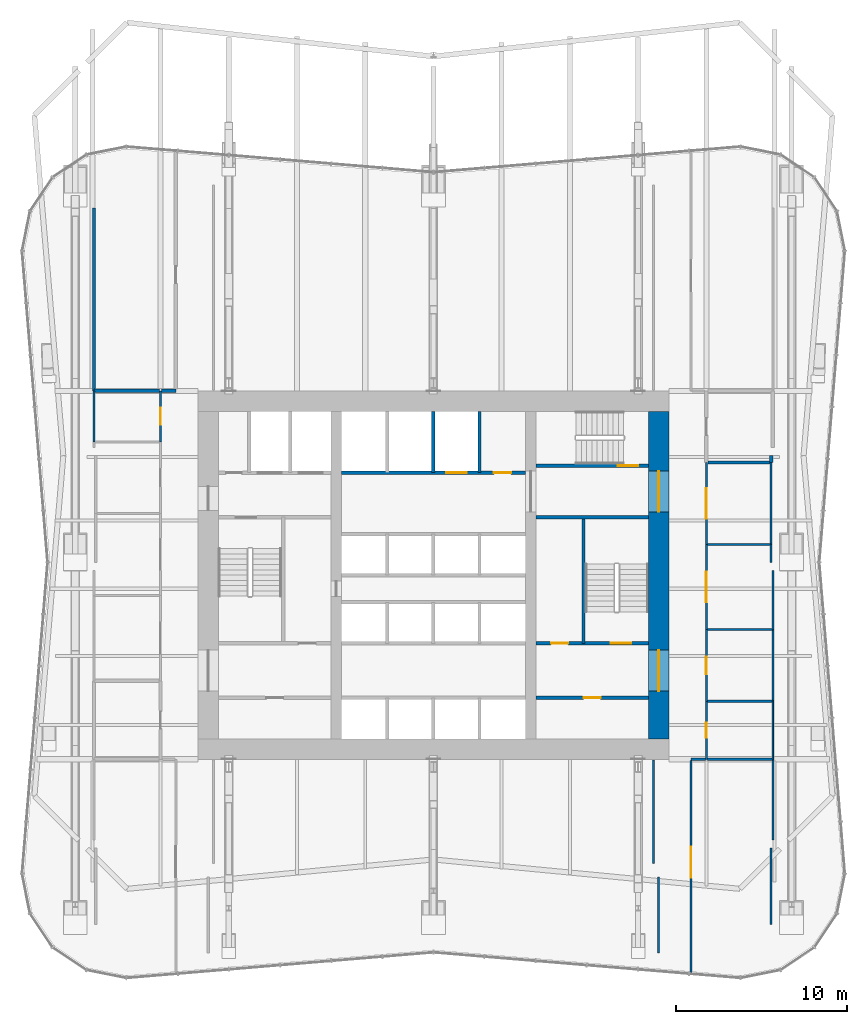
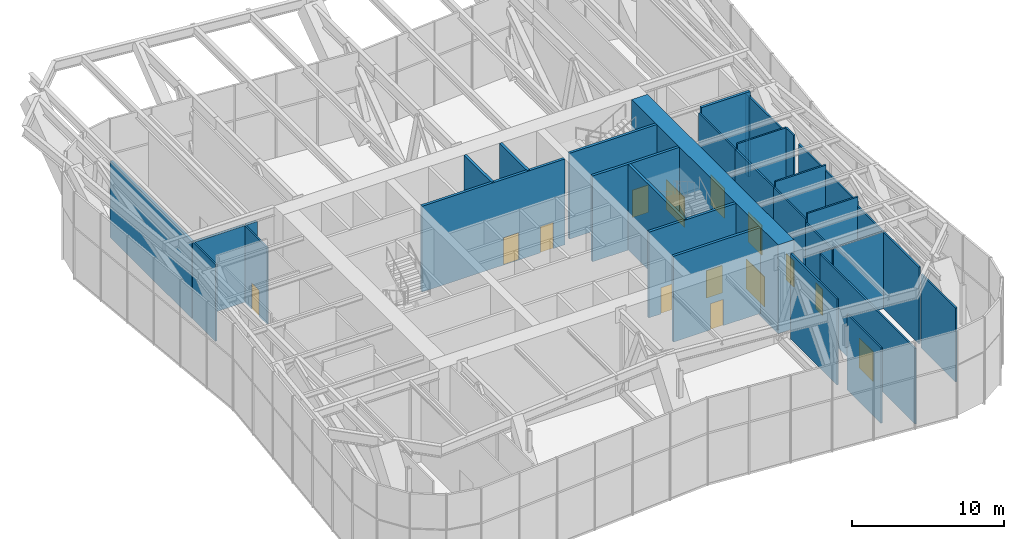
# One storey, part 13 of 17: 35 walls, 14 doors, 14 openings.
"""IFC4 building model written with IfcOpenShell, lengths in metres."""

from ifc_helpers import new_model, si_unit, direction, frame, frame_2d, origin, place, context, subcontext, project, spatial, rectangle, extrude, material, layer, layer_set, type_object, element, fill, save


model = new_model("IFC4")

# Units and contexts
model_context = context("Model", 3, precision=1e-05, world=origin(), true_north=direction((0.0, 1.0)))
body_context = subcontext(model_context, "Body", "Model", "MODEL_VIEW")
ifc_project = project(units=[si_unit("LENGTHUNIT", "METRE"), si_unit("AREAUNIT", "SQUARE_METRE"), si_unit("VOLUMEUNIT", "CUBIC_METRE"), si_unit("PLANEANGLEUNIT", "RADIAN"), si_unit("MASSUNIT", "GRAM", prefix="KILO")], contexts=[model_context])

# Site, building, storey
site_placement = place(None, origin())
site = spatial("IfcSite", under=ifc_project, at=site_placement, CompositionType="ELEMENT")
building_placement = place(site_placement, origin())
building = spatial("IfcBuilding", under=site, at=building_placement, Name="Verdant Reach Tower", CompositionType="ELEMENT")
storey_placement = place(building_placement, frame((0.0, 0.0, 114.0)))
storey = spatial("IfcBuildingStorey", under=building, at=storey_placement, Name="L26 Plant", CompositionType="ELEMENT", Elevation=114.0)

# Wall, opening, door
ifc_material_1 = material(Name="Gypsum board on steel studs", Category="steel")
ifc_layer_1 = layer(ifc_material_1, 0.199951171875)
ifc_layer_set_1 = layer_set([ifc_layer_1], Name="CO-WALL-ROOM")
wall_type_1 = type_object("IfcWallType", Name="CO-WALL-ROOM", PredefinedType="PARTITIONING", material=ifc_layer_set_1)
wall_1_placement = place(storey_placement, frame((6.0, 20.800048828125, 0.0), z_axis=(0.0, 0.0, 1.0), x_axis=(1.0, 0.0, 0.0)))
wall_1 = element("IfcWall", 1, at=wall_1_placement, inside=storey, type_object=wall_type_1, Name="Core partition, L26 Plant", PredefinedType="PARTITIONING", context=body_context, shape_type="SweptSolid", body=[
    extrude(rectangle(XDim=6.60009765625, YDim=0.199951171875, at=frame_2d((3.300048828125, 0.0))), origin(), (0.0, 0.0, 1.0), 6.8701171875),
])
opening_1_placement = place(wall_1_placement, frame((2.800048828125, 0.0, 0.0)))
opening_1 = element("IfcOpeningElement", 2, at=opening_1_placement, cuts=wall_1, Name="Opening CD", PredefinedType="OPENING", context=body_context, shape_type="SweptSolid", body=[
    extrude(rectangle(XDim=1.0, YDim=2.10009765625, at=frame_2d((0.5, 1.050048828125))), frame((0.0, 0.10986328125, 0.0), z_axis=(0.0, -1.0, 0.0), x_axis=(1.0, 0.0, 0.0)), (0.0, 0.0, 1.0), 0.219970703125),
])
ifc_material_2 = material(Name="Timber", Category="wood")
door_type_1 = type_object("IfcDoorType", Name="CO-DOOR-ROOM", OperationType="NOTDEFINED", PredefinedType="DOOR", material=ifc_material_2)
door_1_placement = place(opening_1_placement, origin())
door_1 = element("IfcDoor", 3, at=door_1_placement, inside=storey, type_object=door_type_1, Name="Core room door, L26 Plant", OperationType="SINGLE_SWING_RIGHT", OverallHeight=2.10009765625, OverallWidth=1.0, PredefinedType="DOOR", context=body_context, shape_type="SweptSolid", body=[
    extrude(rectangle(XDim=1.0, YDim=2.10009765625, at=frame_2d((0.5, 1.050048828125))), frame((0.0, 0.02490234375, 0.0), z_axis=(0.0, -1.0, 0.0), x_axis=(1.0, 0.0, 0.0)), (0.0, 0.0, 1.0), 0.050048828125),
])
fill(opening_1, door_1)

# Wall, openings, doors
ifc_material_3 = material(Name="Concrete C40/50", Category="concrete")
ifc_layer_2 = layer(ifc_material_3, 0.199951171875)
ifc_layer_set_2 = layer_set([ifc_layer_2], Name="CO-WALL-SHAFT")
wall_type_2 = type_object("IfcWallType", Name="CO-WALL-SHAFT", PredefinedType="PARTITIONING", material=ifc_layer_set_2)
wall_2_placement = place(storey_placement, frame((-5.39990234375, 34.0, 0.0), z_axis=(0.0, 0.0, 1.0), x_axis=(1.0, 0.0, 0.0)))
wall_2 = element("IfcWall", 4, at=wall_2_placement, inside=storey, type_object=wall_type_2, Name="Lift shaft wall, L26 Plant", PredefinedType="PARTITIONING", context=body_context, shape_type="SweptSolid", body=[
    extrude(rectangle(XDim=10.7998046875, YDim=0.199951171875, at=frame_2d((5.39990234375, 0.0))), origin(), (0.0, 0.0, 1.0), 6.8701171875),
])
opening_2_placement = place(wall_2_placement, frame((6.14990234375, 0.0, 0.0)))
opening_2 = element("IfcOpeningElement", 5, at=opening_2_placement, cuts=wall_2, Name="Opening LD-SL1", PredefinedType="OPENING", context=body_context, shape_type="SweptSolid", body=[
    extrude(rectangle(XDim=1.199951171875, YDim=2.199951171875, at=frame_2d((0.60009765625, 1.10009765625))), frame((0.0, 0.10986328125, 0.0), z_axis=(0.0, -1.0, 0.0), x_axis=(1.0, 0.0, 0.0)), (0.0, 0.0, 1.0), 0.219970703125),
])
opening_3_placement = place(wall_2_placement, frame((8.949951171875, 0.0, 0.0)))
opening_3 = element("IfcOpeningElement", 6, at=opening_3_placement, cuts=wall_2, Name="Opening CD", PredefinedType="OPENING", context=body_context, shape_type="SweptSolid", body=[
    extrude(rectangle(XDim=1.0, YDim=2.10009765625, at=frame_2d((0.5, 1.050048828125))), frame((0.0, 0.10986328125, 0.0), z_axis=(0.0, -1.0, 0.0), x_axis=(1.0, 0.0, 0.0)), (0.0, 0.0, 1.0), 0.219970703125),
])
ifc_material_4 = material(Name="Stainless steel", Category="steel")
door_type_2 = type_object("IfcDoorType", Name="CO-DOOR-LANDING", OperationType="SLIDING_TO_LEFT", PredefinedType="DOOR", material=ifc_material_4)
door_2_placement = place(opening_2_placement, origin())
door_2 = element("IfcDoor", 7, at=door_2_placement, inside=storey, type_object=door_type_2, Name="Landing door SL1, L26 Plant", OperationType="SLIDING_TO_LEFT", OverallHeight=2.199951171875, OverallWidth=1.199951171875, PredefinedType="DOOR", context=body_context, shape_type="SweptSolid", body=[
    extrude(rectangle(XDim=1.199951171875, YDim=2.199951171875, at=frame_2d((0.60009765625, 1.10009765625))), frame((0.0, 0.02490234375, 0.0), z_axis=(0.0, -1.0, 0.0), x_axis=(1.0, 0.0, 0.0)), (0.0, 0.0, 1.0), 0.050048828125),
])
fill(opening_2, door_2)
door_3_placement = place(opening_3_placement, origin())
door_3 = element("IfcDoor", 8, at=door_3_placement, inside=storey, type_object=door_type_1, Name="Core room door, L26 Plant", OperationType="SINGLE_SWING_LEFT", OverallHeight=2.10009765625, OverallWidth=1.0, PredefinedType="DOOR", context=body_context, shape_type="SweptSolid", body=[
    extrude(rectangle(XDim=1.0, YDim=2.10009765625, at=frame_2d((0.5, 1.050048828125))), frame((0.0, 0.02490234375, 0.0), z_axis=(0.0, -1.0, 0.0), x_axis=(1.0, 0.0, 0.0)), (0.0, 0.0, 1.0), 0.050048828125),
])
fill(opening_3, door_3)

# Walls
for number, where, z_axis, x_axis, name in (
    (9, (0.0, 34.0, 0.0), (0.0, 0.0, 1.0), (0.0, 1.0, 0.0), "Lift shaft wall, L26 Plant"),
    (10, (2.699951171875, 34.0, 0.0), (0.0, 0.0, 1.0), (0.0, 1.0, 0.0), "Lift shaft wall, L26 Plant"),
):
    element("IfcWall", number, at=place(storey_placement, frame(where, z_axis=z_axis, x_axis=x_axis)), inside=storey, type_object=wall_type_2, Name=name, PredefinedType="PARTITIONING", context=body_context, shape_type="SweptSolid", body=[
        extrude(rectangle(XDim=3.60009765625, YDim=0.199951171875, at=frame_2d((1.800048828125, 0.0))), origin(), (0.0, 0.0, 1.0), 6.8701171875),
    ])

# Wall, openings, doors
ifc_layer_3 = layer(ifc_material_3, 0.199951171875)
ifc_layer_set_3 = layer_set([ifc_layer_3], Name="CO-WALL-STAIR")
wall_type_3 = type_object("IfcWallType", Name="CO-WALL-STAIR", PredefinedType="PARTITIONING", material=ifc_layer_set_3)
wall_3_placement = place(storey_placement, frame((6.0, 24.0, 0.0), z_axis=(0.0, 0.0, 1.0), x_axis=(1.0, 0.0, 0.0)))
wall_3 = element("IfcWall", 11, at=wall_3_placement, inside=storey, type_object=wall_type_3, Name="Stair enclosure wall, L26 Plant", PredefinedType="PARTITIONING", context=body_context, shape_type="SweptSolid", body=[
    extrude(rectangle(XDim=6.60009765625, YDim=0.199951171875, at=frame_2d((3.300048828125, 0.0))), origin(), (0.0, 0.0, 1.0), 6.8701171875),
])
opening_4_placement = place(wall_3_placement, frame((0.89990234375, 0.0, 0.0)))
opening_4 = element("IfcOpeningElement", 12, at=opening_4_placement, cuts=wall_3, Name="Opening CD", PredefinedType="OPENING", context=body_context, shape_type="SweptSolid", body=[
    extrude(rectangle(XDim=1.0, YDim=2.10009765625, at=frame_2d((0.5, 1.050048828125))), frame((0.0, 0.10986328125, 0.0), z_axis=(0.0, -1.0, 0.0), x_axis=(1.0, 0.0, 0.0)), (0.0, 0.0, 1.0), 0.219970703125),
])
opening_5_placement = place(wall_3_placement, frame((4.39990234375, 0.0, 0.0)))
opening_5 = element("IfcOpeningElement", 13, at=opening_5_placement, cuts=wall_3, Name="Opening SD", PredefinedType="OPENING", context=body_context, shape_type="SweptSolid", body=[
    extrude(rectangle(XDim=1.199951171875, YDim=2.199951171875, at=frame_2d((0.60009765625, 1.10009765625))), frame((0.0, 0.10986328125, 0.0), z_axis=(0.0, -1.0, 0.0), x_axis=(1.0, 0.0, 0.0)), (0.0, 0.0, 1.0), 0.219970703125),
])
door_4_placement = place(opening_4_placement, origin())
door_4 = element("IfcDoor", 14, at=door_4_placement, inside=storey, type_object=door_type_1, Name="Core room door, L26 Plant", OperationType="SINGLE_SWING_LEFT", OverallHeight=2.10009765625, OverallWidth=1.0, PredefinedType="DOOR", context=body_context, shape_type="SweptSolid", body=[
    extrude(rectangle(XDim=1.0, YDim=2.10009765625, at=frame_2d((0.5, 1.050048828125))), frame((0.0, 0.02490234375, 0.0), z_axis=(0.0, -1.0, 0.0), x_axis=(1.0, 0.0, 0.0)), (0.0, 0.0, 1.0), 0.050048828125),
])
fill(opening_4, door_4)
ifc_material_5 = material(Name="Steel", Category="steel")
door_type_3 = type_object("IfcDoorType", Name="CO-DOOR-STAIR", OperationType="NOTDEFINED", PredefinedType="DOOR", material=ifc_material_5)
door_5_placement = place(opening_5_placement, origin())
door_5 = element("IfcDoor", 15, at=door_5_placement, inside=storey, type_object=door_type_3, Name="Stair door, L26 Plant", OperationType="SINGLE_SWING_LEFT", OverallHeight=2.199951171875, OverallWidth=1.199951171875, PredefinedType="DOOR", context=body_context, shape_type="SweptSolid", body=[
    extrude(rectangle(XDim=1.199951171875, YDim=2.199951171875, at=frame_2d((0.60009765625, 1.10009765625))), frame((0.0, 0.02490234375, 0.0), z_axis=(0.0, -1.0, 0.0), x_axis=(1.0, 0.0, 0.0)), (0.0, 0.0, 1.0), 0.050048828125),
])
fill(opening_5, door_5)

# Wall
wall_4_placement = place(storey_placement, frame((6.0, 31.39990234375, 0.0), z_axis=(0.0, 0.0, 1.0), x_axis=(1.0, 0.0, 0.0)))
element("IfcWall", 16, at=wall_4_placement, inside=storey, type_object=wall_type_3, Name="Stair enclosure wall, L26 Plant", PredefinedType="PARTITIONING", context=body_context, shape_type="SweptSolid", body=[
    extrude(rectangle(XDim=6.60009765625, YDim=0.199951171875, at=frame_2d((3.300048828125, 0.0))), origin(), (0.0, 0.0, 1.0), 6.8701171875),
])

# Wall, opening, door
wall_5_placement = place(storey_placement, frame((6.0, 34.39990234375, 0.0), z_axis=(0.0, 0.0, 1.0), x_axis=(1.0, 0.0, 0.0)))
wall_5 = element("IfcWall", 17, at=wall_5_placement, inside=storey, type_object=wall_type_3, Name="Stair enclosure wall, L26 Plant", PredefinedType="PARTITIONING", context=body_context, shape_type="SweptSolid", body=[
    extrude(rectangle(XDim=6.60009765625, YDim=0.199951171875, at=frame_2d((3.300048828125, 0.0))), origin(), (0.0, 0.0, 1.0), 6.8701171875),
])
opening_6_placement = place(wall_5_placement, frame((4.800048828125, 0.0, 0.0)))
opening_6 = element("IfcOpeningElement", 18, at=opening_6_placement, cuts=wall_5, Name="Opening SD", PredefinedType="OPENING", context=body_context, shape_type="SweptSolid", body=[
    extrude(rectangle(XDim=1.199951171875, YDim=2.199951171875, at=frame_2d((0.60009765625, 1.10009765625))), frame((0.0, 0.10986328125, 0.0), z_axis=(0.0, -1.0, 0.0), x_axis=(1.0, 0.0, 0.0)), (0.0, 0.0, 1.0), 0.219970703125),
])
door_6_placement = place(opening_6_placement, origin())
door_6 = element("IfcDoor", 19, at=door_6_placement, inside=storey, type_object=door_type_3, Name="Stair door, L26 Plant", OperationType="SINGLE_SWING_RIGHT", OverallHeight=2.199951171875, OverallWidth=1.199951171875, PredefinedType="DOOR", context=body_context, shape_type="SweptSolid", body=[
    extrude(rectangle(XDim=1.199951171875, YDim=2.199951171875, at=frame_2d((0.60009765625, 1.10009765625))), frame((0.0, 0.02490234375, 0.0), z_axis=(0.0, -1.0, 0.0), x_axis=(1.0, 0.0, 0.0)), (0.0, 0.0, 1.0), 0.050048828125),
])
fill(opening_6, door_6)

# Wall
wall_6_placement = place(storey_placement, frame((8.800048828125, 24.0, 0.0), z_axis=(0.0, 0.0, 1.0), x_axis=(0.0, 1.0, 0.0)))
element("IfcWall", 20, at=wall_6_placement, inside=storey, type_object=wall_type_3, Name="Stair enclosure wall, L26 Plant", PredefinedType="PARTITIONING", context=body_context, shape_type="SweptSolid", body=[
    extrude(rectangle(XDim=7.39990234375, YDim=0.199951171875, at=frame_2d((3.699951171875, 0.0))), origin(), (0.0, 0.0, 1.0), 6.8701171875),
])

# Wall, openings, doors
ifc_material_6 = material(Name="Concrete C70/85", Category="concrete")
ifc_layer_4 = layer(ifc_material_6, 1.199951171875)
ifc_layer_set_4 = layer_set([ifc_layer_4], Name="ST-CORE-WALL-1200")
wall_type_4 = type_object("IfcWallType", Name="ST-CORE-WALL-1200", PredefinedType="SHEAR", material=ifc_layer_set_4)
wall_7_placement = place(storey_placement, frame((13.199951171875, 18.39990234375, -0.25), z_axis=(0.0, 0.0, 1.0), x_axis=(0.0, 1.0, 0.0)))
wall_7 = element("IfcWall", 21, at=wall_7_placement, inside=storey, type_object=wall_type_4, Name="Core wall E, L26 Plant", PredefinedType="SHEAR", context=body_context, shape_type="SweptSolid", body=[
    extrude(rectangle(XDim=19.2001953125, YDim=1.199951171875, at=frame_2d((9.60009765625, 0.0))), origin(), (0.0, 0.0, 1.0), 7.1201171875),
])
opening_7_placement = place(wall_7_placement, frame((2.800048828125, 0.0, 0.25)))
opening_7 = element("IfcOpeningElement", 22, at=opening_7_placement, cuts=wall_7, Name="Opening LB", PredefinedType="OPENING", context=body_context, shape_type="SweptSolid", body=[
    extrude(rectangle(XDim=2.39990234375, YDim=2.39990234375, at=frame_2d((1.199951171875, 1.199951171875))), frame((0.0, 0.60986328125, 0.0), z_axis=(0.0, -1.0, 0.0), x_axis=(1.0, 0.0, 0.0)), (0.0, 0.0, 1.0), 1.219970703125),
])
opening_8_placement = place(wall_7_placement, frame((13.300048828125, 0.0, 0.25)))
opening_8 = element("IfcOpeningElement", 23, at=opening_8_placement, cuts=wall_7, Name="Opening LB", PredefinedType="OPENING", context=body_context, shape_type="SweptSolid", body=[
    extrude(rectangle(XDim=2.39990234375, YDim=2.39990234375, at=frame_2d((1.199951171875, 1.199951171875))), frame((0.0, 0.60986328125, 0.0), z_axis=(0.0, -1.0, 0.0), x_axis=(1.0, 0.0, 0.0)), (0.0, 0.0, 1.0), 1.219970703125),
])
ifc_material_7 = material(Name="Glass and steel", Category="steel")
door_type_4 = type_object("IfcDoorType", Name="CO-DOOR-LOBBY", OperationType="DOUBLE_DOOR_SINGLE_SWING", PredefinedType="DOOR", material=ifc_material_7)
door_7_placement = place(opening_7_placement, origin())
door_7 = element("IfcDoor", 24, at=door_7_placement, inside=storey, type_object=door_type_4, Name="Core entrance door, L26 Plant", OperationType="DOUBLE_DOOR_SINGLE_SWING", OverallHeight=2.39990234375, OverallWidth=2.39990234375, PredefinedType="DOOR", context=body_context, shape_type="SweptSolid", body=[
    extrude(rectangle(XDim=2.39990234375, YDim=2.39990234375, at=frame_2d((1.199951171875, 1.199951171875))), frame((0.0, 0.02490234375, 0.0), z_axis=(0.0, -1.0, 0.0), x_axis=(1.0, 0.0, 0.0)), (0.0, 0.0, 1.0), 0.050048828125),
])
fill(opening_7, door_7)
door_8_placement = place(opening_8_placement, origin())
door_8 = element("IfcDoor", 25, at=door_8_placement, inside=storey, type_object=door_type_4, Name="Core entrance door, L26 Plant", OperationType="DOUBLE_DOOR_SINGLE_SWING", OverallHeight=2.39990234375, OverallWidth=2.39990234375, PredefinedType="DOOR", context=body_context, shape_type="SweptSolid", body=[
    extrude(rectangle(XDim=2.39990234375, YDim=2.39990234375, at=frame_2d((1.199951171875, 1.199951171875))), frame((0.0, 0.02490234375, 0.0), z_axis=(0.0, -1.0, 0.0), x_axis=(1.0, 0.0, 0.0)), (0.0, 0.0, 1.0), 0.050048828125),
])
fill(opening_8, door_8)

# Wall
ifc_layer_5 = layer(ifc_material_1, 0.10009765625)
ifc_layer_set_5 = layer_set([ifc_layer_5], Name="SV-W1 Partition 100")
wall_type_5 = type_object("IfcWallType", Name="SV-W1 Partition 100", PredefinedType="PARTITIONING", material=ifc_layer_set_5)
wall_8_placement = place(storey_placement, frame((19.89990234375, 20.597900390625, 0.0), z_axis=(0.0, 0.0, 1.0), x_axis=(0.0, -1.0, 0.0)))
element("IfcWall", 26, at=wall_8_placement, inside=storey, type_object=wall_type_5, Name="Partition L26.34", PredefinedType="PARTITIONING", context=body_context, shape_type="SweptSolid", body=[
    extrude(rectangle(XDim=3.39599609375, YDim=0.10009765625, at=frame_2d((1.697998046875, 0.0))), origin(), (0.0, 0.0, 1.0), 6.139892578125),
])

# Wall, opening, door
ifc_material_8 = material(Name="Gypsum board on steel studs, fire rated", Category="steel")
ifc_layer_6 = layer(ifc_material_8, 0.125)
ifc_layer_set_6 = layer_set([ifc_layer_6], Name="SV-W2 Plant wall 125 EI 60")
wall_type_6 = type_object("IfcWallType", Name="SV-W2 Plant wall 125 EI 60", PredefinedType="PARTITIONING", material=ifc_layer_set_6)
wall_9_placement = place(storey_placement, frame((16.0, 17.199951171875, 0.0), z_axis=(0.0, 0.0, 1.0), x_axis=(0.0, 1.0, 0.0)))
wall_9 = element("IfcWall", 27, at=wall_9_placement, inside=storey, type_object=wall_type_6, Name="Partition L26.01", PredefinedType="PARTITIONING", context=body_context, shape_type="SweptSolid", body=[
    extrude(rectangle(XDim=3.400146484375, YDim=0.125, at=frame_2d((1.7001953125, 0.0))), origin(), (0.0, 0.0, 1.0), 6.139892578125),
])
opening_9_placement = place(wall_9_placement, frame((1.25, 0.0, 0.0)))
opening_9 = element("IfcOpeningElement", 28, at=opening_9_placement, cuts=wall_9, Name="Opening SD1", PredefinedType="OPENING", context=body_context, shape_type="SweptSolid", body=[
    extrude(rectangle(XDim=0.89990234375, YDim=2.10009765625, at=frame_2d((0.449951171875, 1.050048828125))), frame((0.0, 0.072509765625, 0.0), z_axis=(0.0, -1.0, 0.0), x_axis=(1.0, 0.0, 0.0)), (0.0, 0.0, 1.0), 0.14501953125),
])
ifc_material_9 = material(Name="Painted timber door leaf", Category="wood")
door_type_5 = type_object("IfcDoorType", Name="SV-D1 Door 900x2100", OperationType="NOTDEFINED", PredefinedType="DOOR", material=ifc_material_9)
door_9_placement = place(opening_9_placement, origin())
door_9 = element("IfcDoor", 29, at=door_9_placement, inside=storey, type_object=door_type_5, Name="Door L26-001", OperationType="SINGLE_SWING_LEFT", OverallHeight=2.10009765625, OverallWidth=0.89990234375, PredefinedType="DOOR", context=body_context, shape_type="SweptSolid", body=[
    extrude(rectangle(XDim=0.89990234375, YDim=2.10009765625, at=frame_2d((0.449951171875, 1.050048828125))), frame((0.0, 0.02490234375, 0.0), z_axis=(0.0, -1.0, 0.0), x_axis=(1.0, 0.0, 0.0)), (0.0, 0.0, 1.0), 0.050048828125),
])
fill(opening_9, door_9)

wall_10_placement = place(storey_placement, frame((16.0, 20.60009765625, 0.0), z_axis=(0.0, 0.0, 1.0), x_axis=(0.0, 1.0, 0.0)))
wall_10 = element("IfcWall", 30, at=wall_10_placement, inside=storey, type_object=wall_type_6, Name="Partition L26.02", PredefinedType="PARTITIONING", context=body_context, shape_type="SweptSolid", body=[
    extrude(rectangle(XDim=4.199951171875, YDim=0.125, at=frame_2d((2.10009765625, 0.0))), origin(), (0.0, 0.0, 1.0), 6.43994140625),
])
opening_10_placement = place(wall_10_placement, frame((1.60009765625, 0.0, 0.0)))
opening_10 = element("IfcOpeningElement", 31, at=opening_10_placement, cuts=wall_10, Name="Opening SD2", PredefinedType="OPENING", context=body_context, shape_type="SweptSolid", body=[
    extrude(rectangle(XDim=1.0, YDim=2.10009765625, at=frame_2d((0.5, 1.050048828125))), frame((0.0, 0.072509765625, 0.0), z_axis=(0.0, -1.0, 0.0), x_axis=(1.0, 0.0, 0.0)), (0.0, 0.0, 1.0), 0.14501953125),
])
ifc_material_10 = material(Name="Steel door leaf, fire rated", Category="steel")
door_type_6 = type_object("IfcDoorType", Name="SV-D2 Door 1000x2100 FD60", OperationType="NOTDEFINED", PredefinedType="DOOR", material=ifc_material_10)
door_10_placement = place(opening_10_placement, origin())
door_10 = element("IfcDoor", 32, at=door_10_placement, inside=storey, type_object=door_type_6, Name="Door L26-002", OperationType="SINGLE_SWING_RIGHT", OverallHeight=2.10009765625, OverallWidth=1.0, PredefinedType="DOOR", context=body_context, shape_type="SweptSolid", body=[
    extrude(rectangle(XDim=1.0, YDim=2.10009765625, at=frame_2d((0.5, 1.050048828125))), frame((0.0, 0.02490234375, 0.0), z_axis=(0.0, -1.0, 0.0), x_axis=(1.0, 0.0, 0.0)), (0.0, 0.0, 1.0), 0.050048828125),
])
fill(opening_10, door_10)

wall_11_placement = place(storey_placement, frame((16.0, 24.800048828125, 0.0), z_axis=(0.0, 0.0, 1.0), x_axis=(0.0, 1.0, 0.0)))
wall_11 = element("IfcWall", 33, at=wall_11_placement, inside=storey, type_object=wall_type_6, Name="Partition L26.03", PredefinedType="PARTITIONING", context=body_context, shape_type="SweptSolid", body=[
    extrude(rectangle(XDim=5.0, YDim=0.125, at=frame_2d((2.5, 0.0))), origin(), (0.0, 0.0, 1.0), 6.43994140625),
])
opening_11_placement = place(wall_11_placement, frame((1.60009765625, 0.0, 0.0)))
opening_11 = element("IfcOpeningElement", 34, at=opening_11_placement, cuts=wall_11, Name="Opening SD3", PredefinedType="OPENING", context=body_context, shape_type="SweptSolid", body=[
    extrude(rectangle(XDim=1.800048828125, YDim=2.39990234375, at=frame_2d((0.89990234375, 1.199951171875))), frame((0.0, 0.072509765625, 0.0), z_axis=(0.0, -1.0, 0.0), x_axis=(1.0, 0.0, 0.0)), (0.0, 0.0, 1.0), 0.14501953125),
])
ifc_material_11 = material(Name="Steel door leaves, fire rated", Category="steel")
door_type_7 = type_object("IfcDoorType", Name="SV-D3 Equipment door 1800x2400 FD60", OperationType="DOUBLE_DOOR_SINGLE_SWING", PredefinedType="DOOR", material=ifc_material_11)
door_11_placement = place(opening_11_placement, origin())
door_11 = element("IfcDoor", 35, at=door_11_placement, inside=storey, type_object=door_type_7, Name="Door L26-003", OperationType="DOUBLE_DOOR_SINGLE_SWING", OverallHeight=2.39990234375, OverallWidth=1.800048828125, PredefinedType="DOOR", context=body_context, shape_type="SweptSolid", body=[
    extrude(rectangle(XDim=1.800048828125, YDim=2.39990234375, at=frame_2d((0.89990234375, 1.199951171875))), frame((0.0, 0.02490234375, 0.0), z_axis=(0.0, -1.0, 0.0), x_axis=(1.0, 0.0, 0.0)), (0.0, 0.0, 1.0), 0.050048828125),
])
fill(opening_11, door_11)

wall_12_placement = place(storey_placement, frame((16.0, 29.800048828125, 0.0), z_axis=(0.0, 0.0, 1.0), x_axis=(0.0, 1.0, 0.0)))
wall_12 = element("IfcWall", 36, at=wall_12_placement, inside=storey, type_object=wall_type_6, Name="Partition L26.04", PredefinedType="PARTITIONING", context=body_context, shape_type="SweptSolid", body=[
    extrude(rectangle(XDim=4.800048828125, YDim=0.125, at=frame_2d((2.39990234375, 0.0))), origin(), (0.0, 0.0, 1.0), 6.43994140625),
])
opening_12_placement = place(wall_12_placement, frame((1.5, 0.0, 0.0)))
opening_12 = element("IfcOpeningElement", 37, at=opening_12_placement, cuts=wall_12, Name="Opening SD3", PredefinedType="OPENING", context=body_context, shape_type="SweptSolid", body=[
    extrude(rectangle(XDim=1.800048828125, YDim=2.39990234375, at=frame_2d((0.89990234375, 1.199951171875))), frame((0.0, 0.072509765625, 0.0), z_axis=(0.0, -1.0, 0.0), x_axis=(1.0, 0.0, 0.0)), (0.0, 0.0, 1.0), 0.14501953125),
])
door_12_placement = place(opening_12_placement, origin())
door_12 = element("IfcDoor", 38, at=door_12_placement, inside=storey, type_object=door_type_7, Name="Door L26-004", OperationType="DOUBLE_DOOR_SINGLE_SWING", OverallHeight=2.39990234375, OverallWidth=1.800048828125, PredefinedType="DOOR", context=body_context, shape_type="SweptSolid", body=[
    extrude(rectangle(XDim=1.800048828125, YDim=2.39990234375, at=frame_2d((0.89990234375, 1.199951171875))), frame((0.0, 0.02490234375, 0.0), z_axis=(0.0, -1.0, 0.0), x_axis=(1.0, 0.0, 0.0)), (0.0, 0.0, 1.0), 0.050048828125),
])
fill(opening_12, door_12)

# Wall
wall_13_placement = place(storey_placement, frame((15.9375, 17.199951171875, 0.0), z_axis=(0.0, 0.0, 1.0), x_axis=(-1.0, 0.0, 0.0)))
element("IfcWall", 39, at=wall_13_placement, inside=storey, type_object=wall_type_6, Name="Partition L26.06", PredefinedType="PARTITIONING", context=body_context, shape_type="SweptSolid", body=[
    extrude(rectangle(XDim=0.83740234375, YDim=0.125, at=frame_2d((0.418701171875, 0.0))), origin(), (0.0, 0.0, 1.0), 6.139892578125),
])

# Wall, opening, door
wall_14_placement = place(storey_placement, frame((15.10009765625, 4.66162109375, 0.0), z_axis=(0.0, 0.0, 1.0), x_axis=(0.0, 1.0, 0.0)))
wall_14 = element("IfcWall", 40, at=wall_14_placement, inside=storey, type_object=wall_type_6, Name="Partition L26.07", PredefinedType="PARTITIONING", context=body_context, shape_type="SweptSolid", body=[
    extrude(rectangle(XDim=12.475830078125, YDim=0.125, at=frame_2d((6.23779296875, 0.0))), origin(), (0.0, 0.0, 1.0), 6.0400390625),
])
opening_13_placement = place(wall_14_placement, frame((5.603515625, 0.0, 0.0)))
opening_13 = element("IfcOpeningElement", 41, at=opening_13_placement, cuts=wall_14, Name="Opening SD3", PredefinedType="OPENING", context=body_context, shape_type="SweptSolid", body=[
    extrude(rectangle(XDim=1.800048828125, YDim=2.39990234375, at=frame_2d((0.89990234375, 1.199951171875))), frame((0.0, 0.072509765625, 0.0), z_axis=(0.0, -1.0, 0.0), x_axis=(1.0, 0.0, 0.0)), (0.0, 0.0, 1.0), 0.14501953125),
])
door_13_placement = place(opening_13_placement, origin())
door_13 = element("IfcDoor", 42, at=door_13_placement, inside=storey, type_object=door_type_7, Name="Door L26-006", OperationType="DOUBLE_DOOR_SINGLE_SWING", OverallHeight=2.39990234375, OverallWidth=1.800048828125, PredefinedType="DOOR", context=body_context, shape_type="SweptSolid", body=[
    extrude(rectangle(XDim=1.800048828125, YDim=2.39990234375, at=frame_2d((0.89990234375, 1.199951171875))), frame((0.0, 0.02490234375, 0.0), z_axis=(0.0, -1.0, 0.0), x_axis=(1.0, 0.0, 0.0)), (0.0, 0.0, 1.0), 0.050048828125),
])
fill(opening_13, door_13)

# Walls
wall_15_placement = place(storey_placement, frame((16.0625, 20.60009765625, 0.0), z_axis=(0.0, 0.0, 1.0), x_axis=(1.0, 0.0, 0.0)))
element("IfcWall", 43, at=wall_15_placement, inside=storey, type_object=wall_type_6, Name="Partition L26.10", PredefinedType="PARTITIONING", context=body_context, shape_type="SweptSolid", body=[
    extrude(rectangle(XDim=3.83740234375, YDim=0.125, at=frame_2d((1.918701171875, 0.0))), origin(), (0.0, 0.0, 1.0), 6.8701171875),
])
wall_16_placement = place(storey_placement, frame((19.89990234375, 17.199951171875, 0.0), z_axis=(0.0, 0.0, 1.0), x_axis=(-1.0, 0.0, 0.0)))
element("IfcWall", 44, at=wall_16_placement, inside=storey, type_object=wall_type_6, Name="Partition L26.11", PredefinedType="PARTITIONING", context=body_context, shape_type="SweptSolid", body=[
    extrude(rectangle(XDim=3.83740234375, YDim=0.125, at=frame_2d((1.918701171875, 0.0))), origin(), (0.0, 0.0, 1.0), 6.139892578125),
])
wall_17_placement = place(storey_placement, frame((16.0625, 24.800048828125, 0.0), z_axis=(0.0, 0.0, 1.0), x_axis=(1.0, 0.0, 0.0)))
element("IfcWall", 45, at=wall_17_placement, inside=storey, type_object=wall_type_6, Name="Partition L26.12", PredefinedType="PARTITIONING", context=body_context, shape_type="SweptSolid", body=[
    extrude(rectangle(XDim=3.83740234375, YDim=0.125, at=frame_2d((1.918701171875, 0.0))), origin(), (0.0, 0.0, 1.0), 6.8701171875),
])
wall_18_placement = place(storey_placement, frame((16.0625, 29.800048828125, 0.0), z_axis=(0.0, 0.0, 1.0), x_axis=(1.0, 0.0, 0.0)))
element("IfcWall", 46, at=wall_18_placement, inside=storey, type_object=wall_type_6, Name="Partition L26.13", PredefinedType="PARTITIONING", context=body_context, shape_type="SweptSolid", body=[
    extrude(rectangle(XDim=3.737548828125, YDim=0.125, at=frame_2d((1.86865234375, 0.0))), origin(), (0.0, 0.0, 1.0), 6.8701171875),
])

# Wall, opening, door
wall_19_placement = place(storey_placement, frame((-16.0, 38.800048828125, 0.0), z_axis=(0.0, 0.0, 1.0), x_axis=(0.0, -1.0, 0.0)))
wall_19 = element("IfcWall", 47, at=wall_19_placement, inside=storey, type_object=wall_type_6, Name="Partition L26.20", PredefinedType="PARTITIONING", context=body_context, shape_type="SweptSolid", body=[
    extrude(rectangle(XDim=3.0, YDim=0.125, at=frame_2d((1.5, 0.0))), origin(), (0.0, 0.0, 1.0), 6.139892578125),
])
opening_14_placement = place(wall_19_placement, frame((1.0, 0.0, 0.0)))
opening_14 = element("IfcOpeningElement", 48, at=opening_14_placement, cuts=wall_19, Name="Opening SD2", PredefinedType="OPENING", context=body_context, shape_type="SweptSolid", body=[
    extrude(rectangle(XDim=1.0, YDim=2.10009765625, at=frame_2d((0.5, 1.050048828125))), frame((0.0, 0.072509765625, 0.0), z_axis=(0.0, -1.0, 0.0), x_axis=(1.0, 0.0, 0.0)), (0.0, 0.0, 1.0), 0.14501953125),
])
door_14_placement = place(opening_14_placement, origin())
door_14 = element("IfcDoor", 49, at=door_14_placement, inside=storey, type_object=door_type_6, Name="Door L26-012", OperationType="SINGLE_SWING_RIGHT", OverallHeight=2.10009765625, OverallWidth=1.0, PredefinedType="DOOR", context=body_context, shape_type="SweptSolid", body=[
    extrude(rectangle(XDim=1.0, YDim=2.10009765625, at=frame_2d((0.5, 1.050048828125))), frame((0.0, 0.02490234375, 0.0), z_axis=(0.0, -1.0, 0.0), x_axis=(1.0, 0.0, 0.0)), (0.0, 0.0, 1.0), 0.050048828125),
])
fill(opening_14, door_14)

# Walls
wall_20_placement = place(storey_placement, frame((13.199951171875, 5.85009765625, 0.0), z_axis=(0.0, 0.0, 1.0), x_axis=(0.0, 1.0, 0.0)))
element("IfcWall", 50, at=wall_20_placement, inside=storey, type_object=wall_type_6, Name="Partition L26.31", PredefinedType="PARTITIONING", context=body_context, shape_type="SweptSolid", body=[
    extrude(rectangle(XDim=4.449951171875, YDim=0.125, at=frame_2d((2.22509765625, 0.0))), origin(), (0.0, 0.0, 1.0), 6.0400390625),
])
wall_21_placement = place(storey_placement, frame((12.89990234375, 11.092041015625, 0.0), z_axis=(0.0, 0.0, 1.0), x_axis=(0.0, 1.0, 0.0)))
element("IfcWall", 51, at=wall_21_placement, inside=storey, type_object=wall_type_6, Name="Partition L26.32", PredefinedType="PARTITIONING", context=body_context, shape_type="SweptSolid", body=[
    extrude(rectangle(XDim=6.057861328125, YDim=0.125, at=frame_2d((3.02880859375, 0.0))), origin(), (0.0, 0.0, 1.0), 6.8701171875),
])
wall_22_placement = place(storey_placement, frame((19.89990234375, 24.798095703125, 0.0), z_axis=(0.0, 0.0, 1.0), x_axis=(0.0, -1.0, 0.0)))
element("IfcWall", 52, at=wall_22_placement, inside=storey, type_object=wall_type_6, Name="Partition L26.35", PredefinedType="PARTITIONING", context=body_context, shape_type="SweptSolid", body=[
    extrude(rectangle(XDim=4.196044921875, YDim=0.125, at=frame_2d((2.09814453125, 0.0))), origin(), (0.0, 0.0, 1.0), 6.43994140625),
])
wall_23_placement = place(storey_placement, frame((19.800048828125, 29.798095703125, 0.0), z_axis=(0.0, 0.0, 1.0), x_axis=(0.0, -1.0, 0.0)))
element("IfcWall", 53, at=wall_23_placement, inside=storey, type_object=wall_type_6, Name="Partition L26.36", PredefinedType="PARTITIONING", context=body_context, shape_type="SweptSolid", body=[
    extrude(rectangle(XDim=1.048095703125, YDim=0.125, at=frame_2d((0.52392578125, 0.0))), origin(), (0.0, 0.0, 1.0), 6.8701171875),
])
wall_24_placement = place(storey_placement, frame((19.89990234375, 28.27197265625, 0.0), z_axis=(0.0, 0.0, 1.0), x_axis=(0.0, -1.0, 0.0)))
element("IfcWall", 54, at=wall_24_placement, inside=storey, type_object=wall_type_6, Name="Partition L26.37", PredefinedType="PARTITIONING", context=body_context, shape_type="SweptSolid", body=[
    extrude(rectangle(XDim=3.469970703125, YDim=0.125, at=frame_2d((1.73486328125, 0.0))), origin(), (0.0, 0.0, 1.0), 6.43994140625),
])
wall_25_placement = place(storey_placement, frame((19.800048828125, 34.597900390625, 0.0), z_axis=(0.0, 0.0, 1.0), x_axis=(0.0, -1.0, 0.0)))
element("IfcWall", 55, at=wall_25_placement, inside=storey, type_object=wall_type_6, Name="Partition L26.38", PredefinedType="PARTITIONING", context=body_context, shape_type="SweptSolid", body=[
    extrude(rectangle(XDim=4.7958984375, YDim=0.125, at=frame_2d((2.39794921875, 0.0))), origin(), (0.0, 0.0, 1.0), 6.43994140625),
])
wall_26_placement = place(storey_placement, frame((19.89990234375, 17.197998046875, 0.0), z_axis=(0.0, 0.0, 1.0), x_axis=(0.0, -1.0, 0.0)))
element("IfcWall", 56, at=wall_26_placement, inside=storey, type_object=wall_type_6, Name="Partition L26.41", PredefinedType="PARTITIONING", context=body_context, shape_type="SweptSolid", body=[
    extrude(rectangle(XDim=4.719970703125, YDim=0.125, at=frame_2d((2.35986328125, 0.0))), origin(), (0.0, 0.0, 1.0), 6.139892578125),
])
wall_27_placement = place(storey_placement, frame((19.800048828125, 12.0, 0.0), z_axis=(0.0, 0.0, 1.0), x_axis=(0.0, -1.0, 0.0)))
element("IfcWall", 57, at=wall_27_placement, inside=storey, type_object=wall_type_6, Name="Partition L26.42", PredefinedType="PARTITIONING", context=body_context, shape_type="SweptSolid", body=[
    extrude(rectangle(XDim=4.5, YDim=0.125, at=frame_2d((2.25, 0.0))), origin(), (0.0, 0.0, 1.0), 5.929931640625),
])
wall_28_placement = place(storey_placement, frame((-19.89990234375, 35.802001953125, 0.0), z_axis=(0.0, 0.0, 1.0), x_axis=(0.0, 1.0, 0.0)))
element("IfcWall", 58, at=wall_28_placement, inside=storey, type_object=wall_type_6, Name="Partition L26.53", PredefinedType="PARTITIONING", context=body_context, shape_type="SweptSolid", body=[
    extrude(rectangle(XDim=2.99609375, YDim=0.125, at=frame_2d((1.498046875, 0.0))), origin(), (0.0, 0.0, 1.0), 6.139892578125),
])
ifc_material_12 = material(Name="Calcium silicate board on steel studs, fire rated", Category="steel")
ifc_layer_7 = layer(ifc_material_12, 0.199951171875)
ifc_layer_set_7 = layer_set([ifc_layer_7], Name="SV-W3 Fire wall 200 EI 120")
wall_type_7 = type_object("IfcWallType", Name="SV-W3 Fire wall 200 EI 120", PredefinedType="PARTITIONING", material=ifc_layer_set_7)
wall_29_placement = place(storey_placement, frame((16.10009765625, 34.60009765625, 0.0), z_axis=(0.0, 0.0, 1.0), x_axis=(1.0, 0.0, 0.0)))
element("IfcWall", 59, at=wall_29_placement, inside=storey, type_object=wall_type_7, Name="Partition L26.14", PredefinedType="PARTITIONING", context=body_context, shape_type="SweptSolid", body=[
    extrude(rectangle(XDim=3.699951171875, YDim=0.199951171875, at=frame_2d((1.85009765625, 0.0))), origin(), (0.0, 0.0, 1.0), 6.8701171875),
])
wall_30_placement = place(storey_placement, frame((-15.9375, 38.800048828125, 0.0), z_axis=(0.0, 0.0, 1.0), x_axis=(1.0, 0.0, 0.0)))
element("IfcWall", 60, at=wall_30_placement, inside=storey, type_object=wall_type_7, Name="Partition L26.23", PredefinedType="PARTITIONING", context=body_context, shape_type="SweptSolid", body=[
    extrude(rectangle(XDim=0.83740234375, YDim=0.199951171875, at=frame_2d((0.418701171875, 0.0))), origin(), (0.0, 0.0, 1.0), 6.139892578125),
])
wall_31_placement = place(storey_placement, frame((-19.89990234375, 38.800048828125, 0.0), z_axis=(0.0, 0.0, 1.0), x_axis=(1.0, 0.0, 0.0)))
element("IfcWall", 61, at=wall_31_placement, inside=storey, type_object=wall_type_7, Name="Partition L26.30", PredefinedType="PARTITIONING", context=body_context, shape_type="SweptSolid", body=[
    extrude(rectangle(XDim=3.83740234375, YDim=0.199951171875, at=frame_2d((1.918701171875, 0.0))), origin(), (0.0, 0.0, 1.0), 6.139892578125),
])
wall_32_placement = place(storey_placement, frame((19.800048828125, 35.0, 0.0), z_axis=(0.0, 0.0, 1.0), x_axis=(0.0, -1.0, 0.0)))
element("IfcWall", 62, at=wall_32_placement, inside=storey, type_object=wall_type_7, Name="Partition L26.40", PredefinedType="PARTITIONING", context=body_context, shape_type="SweptSolid", body=[
    extrude(rectangle(XDim=0.39794921875, YDim=0.199951171875, at=frame_2d((0.198974609375, 0.0))), origin(), (0.0, 0.0, 1.0), 6.47998046875),
])
wall_33_placement = place(storey_placement, frame((-19.89990234375, 38.802001953125, 0.0), z_axis=(0.0, 0.0, 1.0), x_axis=(0.0, 1.0, 0.0)))
element("IfcWall", 63, at=wall_33_placement, inside=storey, type_object=wall_type_7, Name="Partition L26.56", PredefinedType="PARTITIONING", context=body_context, shape_type="SweptSolid", body=[
    extrude(rectangle(XDim=10.719970703125, YDim=0.199951171875, at=frame_2d((5.35986328125, 0.0))), origin(), (0.0, 0.0, 1.0), 6.139892578125),
])

save(model, "model.ifc")
